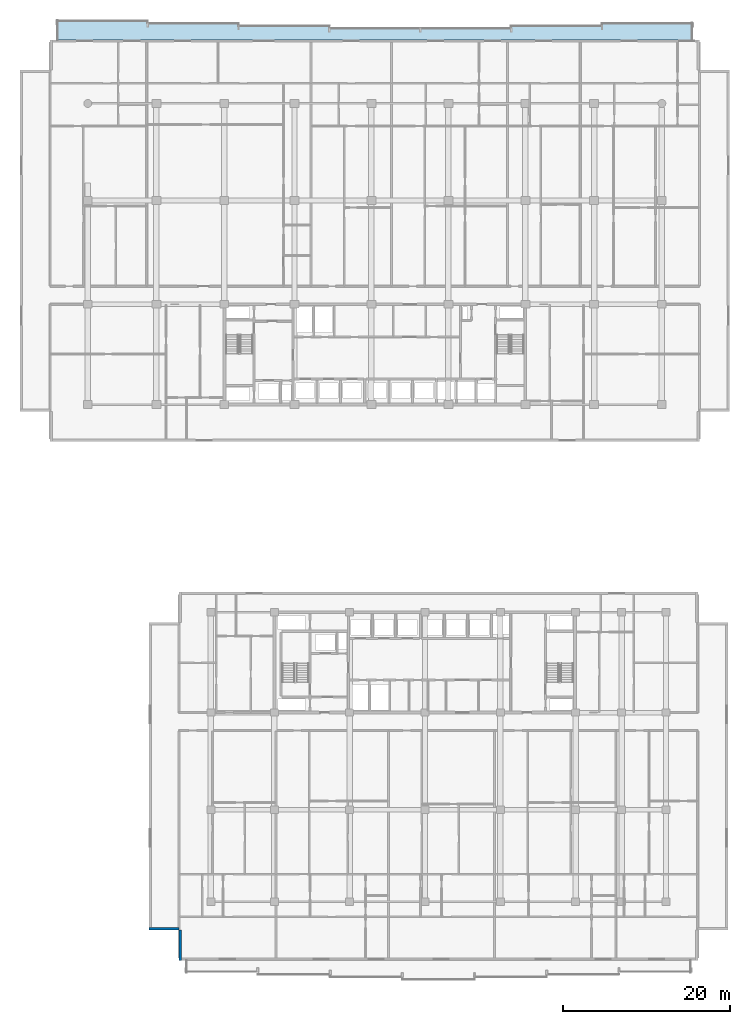
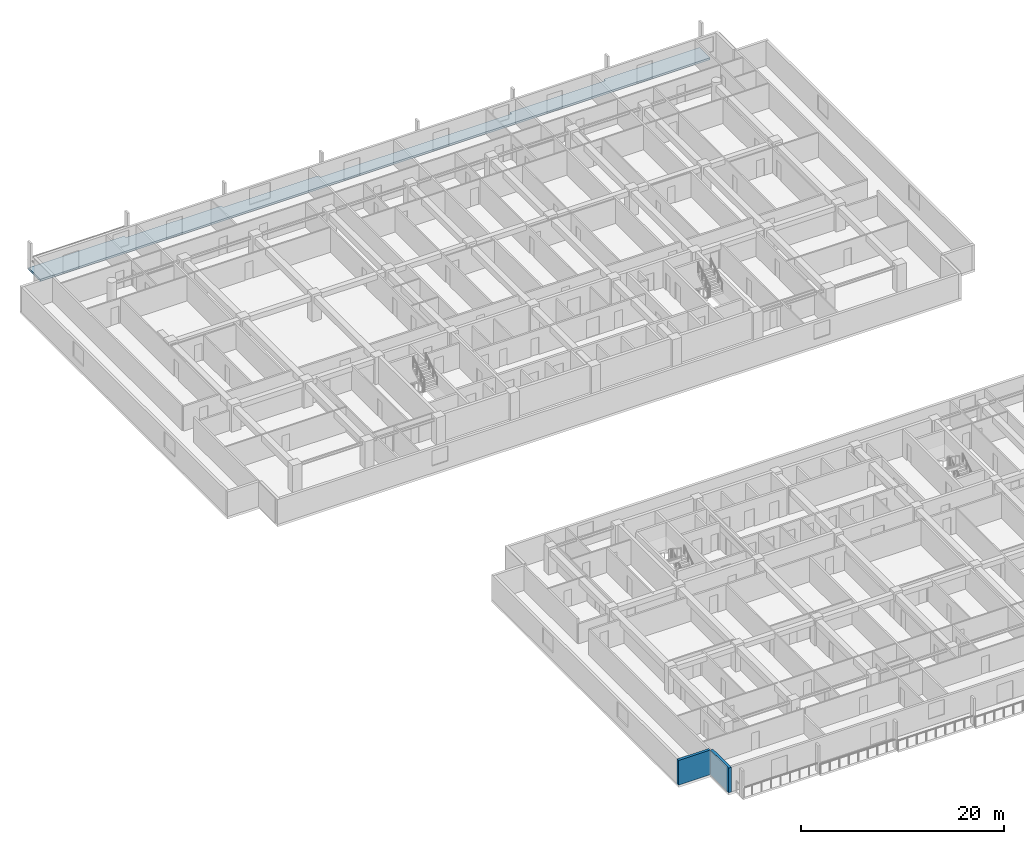
# One storey, part 3 of 24: 2 walls, 1 slab.
"""IFC4 building model written with IfcOpenShell, lengths in metres."""

from ifc_helpers import new_model, si_unit, direction, frame, frame_2d, origin, place, context, subcontext, project, spatial, polyline, rectangle, outline, extrude, material, layer, layer_set, type_object, element, save


model = new_model("IFC4")

# Units and contexts
model_context = context("Model", 3, precision=1e-05, world=origin(), true_north=direction((0.0, 1.0)))
body_context = subcontext(model_context, "Body", "Model", "MODEL_VIEW")
ifc_project = project(units=[si_unit("LENGTHUNIT", "METRE"), si_unit("AREAUNIT", "SQUARE_METRE"), si_unit("VOLUMEUNIT", "CUBIC_METRE"), si_unit("PLANEANGLEUNIT", "RADIAN"), si_unit("MASSUNIT", "GRAM", prefix="KILO")], contexts=[model_context])

# Site, building, storey
site_placement = place(None, origin())
site = spatial("IfcSite", under=ifc_project, at=site_placement, CompositionType="ELEMENT")
building_placement = place(site_placement, origin())
building = spatial("IfcBuilding", under=site, at=building_placement, Name="Korimba Cascade Residences", CompositionType="ELEMENT")
storey_placement = place(building_placement, frame((0.0, 0.0, 66.25)))
storey = spatial("IfcBuildingStorey", under=building, at=storey_placement, Name="L18", CompositionType="ELEMENT", Elevation=66.25)

# Slab
ifc_material = material(Name="Precast concrete C40/50", Category="concrete")
ifc_layer_1 = layer(ifc_material, 0.239990234375)
ifc_layer_set_1 = layer_set([ifc_layer_1], Name="Precast concrete C40/50")
slab_type = type_object("IfcSlabType", Name="SLB-LOG-240", PredefinedType="FLOOR", material=ifc_layer_set_1)
slab_placement = place(storey_placement, frame((0.0, 0.0, -0.239990234375)))
element("IfcSlab", 1, at=slab_placement, inside=storey, type_object=slab_type, Name="L18 Tower 1 North Loggia Slab", PredefinedType="FLOOR", context=body_context, shape_type="SweptSolid", body=[
    extrude(outline(polyline([(56.10009765625, 98.800048828125), (132.10009765625, 98.800048828125), (132.10009765625, 100.85009765625), (121.242919921875, 100.85009765625), (121.242919921875, 100.550048828125), (110.3857421875, 100.550048828125), (110.3857421875, 100.25), (88.67138671875, 100.25), (88.67138671875, 100.550048828125), (77.814208984375, 100.550048828125), (77.814208984375, 100.85009765625), (66.95703125, 100.85009765625), (66.95703125, 101.14990234375), (56.10009765625, 101.14990234375), (56.10009765625, 98.800048828125)])), origin(), (0.0, 0.0, 1.0), 0.239990234375),
])

# Walls
ifc_layer_2 = layer(ifc_material, 0.300048828125)
ifc_layer_set_2 = layer_set([ifc_layer_2], Name="Precast concrete C40/50")
wall_type = type_object("IfcWallType", Name="EW-STONE-300", PredefinedType="STANDARD", material=ifc_layer_set_2)
for number, where, z_axis, x_axis, name in (
    (2, (67.10009765625, -7.449951171875, 0.0), (0.0, 0.0, 1.0), (1.0, 0.0, 0.0), "L18 T2 Perimeter Stone Wall E10"),
    (3, (70.85009765625, -7.60009765625, 0.0), (0.0, 0.0, 1.0), (0.0, -1.0, 0.0), "L18 T2 Perimeter Stone Wall E11"),
):
    element("IfcWall", number, at=place(storey_placement, frame(where, z_axis=z_axis, x_axis=x_axis)), inside=storey, type_object=wall_type, Name=name, PredefinedType="STANDARD", context=body_context, shape_type="SweptSolid", body=[
        extrude(rectangle(XDim=3.599853515625, YDim=0.300048828125, at=frame_2d((1.7998046875, 0.0))), origin(), (0.0, 0.0, 1.0), 2.969970703125),
    ])

save(model, "model.ifc")
